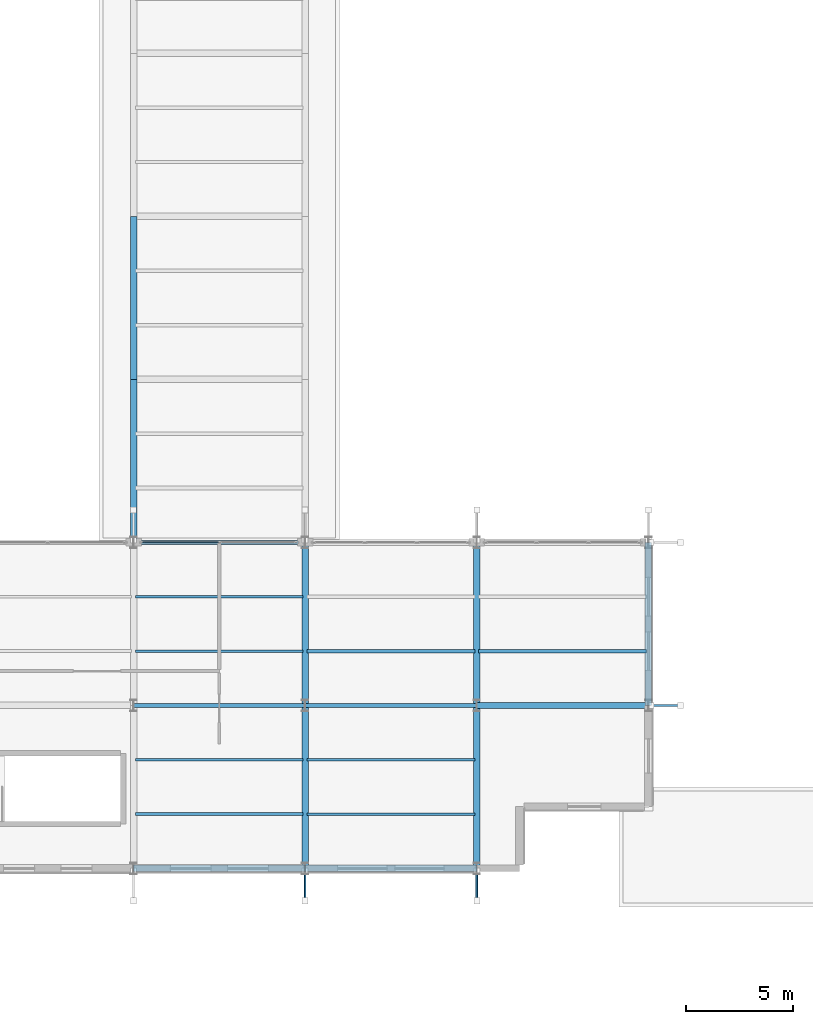
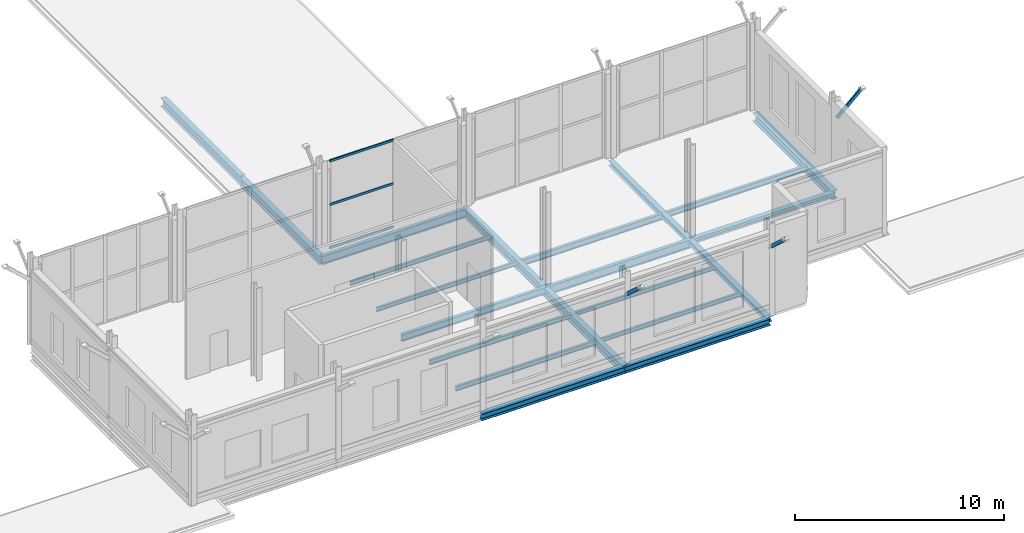
# One storey, part 29 of 147: 21 beams, 6 members, 1 element without a shape of its own.
"""IFC4 building model written with IfcOpenShell, lengths in metres."""

from ifc_helpers import new_model, si_unit, direction, frame, origin, origin_2d, place, context, subcontext, project, spatial, hollow_rectangle, i_section, extrude, material, layer, layer_set, material_profile, profile_set, type_object, element, aggregate, save


model = new_model("IFC4")

# Units and contexts
model_context = context("Model", 3, precision=1e-05, world=origin(), true_north=direction((0.0, 1.0)))
body_context = subcontext(model_context, "Body", "Model", "MODEL_VIEW")
ifc_project = project(units=[si_unit("LENGTHUNIT", "METRE"), si_unit("AREAUNIT", "SQUARE_METRE"), si_unit("VOLUMEUNIT", "CUBIC_METRE"), si_unit("PLANEANGLEUNIT", "RADIAN"), si_unit("MASSUNIT", "GRAM", prefix="KILO")], contexts=[model_context])

# Site, building, storey
site_placement = place(None, origin())
site = spatial("IfcSite", under=ifc_project, at=site_placement, CompositionType="ELEMENT")
building_placement = place(site_placement, origin())
building = spatial("IfcBuilding", under=site, at=building_placement, Name="Vekula Escarpment Museum", CompositionType="ELEMENT")
storey_placement = place(building_placement, frame((0.0, 0.0, 7.800048828125)))
storey = spatial("IfcBuildingStorey", under=building, at=storey_placement, Name="L02", CompositionType="ELEMENT", Elevation=7.800048828125)

# Beams
ifc_material_1 = material(Name="Steel S355", Category="steel")
ifc_material_profile_1 = material_profile(ifc_material_1, i_section(OverallWidth=0.280029296875, OverallDepth=0.280029296875, WebThickness=0.010498046875, FlangeThickness=0.01806640625, FilletRadius=0.02392578125, at=origin_2d()), Name="HEB 280")
ifc_profile_set_1 = profile_set([ifc_material_profile_1], Name="Steel S355")
beam_type_1 = type_object("IfcBeamType", Name="BM-GIRD-HEB280", PredefinedType="BEAM", material=ifc_profile_set_1)
beam_1_placement = place(storey_placement, frame((110.0, 7.60009765625, -0.400146484375), z_axis=(1.0, 0.0, 0.0), x_axis=(0.0, 1.0, 0.0)))
element("IfcBeam", 1, at=beam_1_placement, inside=storey, type_object=beam_type_1, Name="Beam X L02 0807", PredefinedType="BEAM", context=body_context, shape_type="SweptSolid", body=[
    extrude(i_section(OverallWidth=0.280029296875, OverallDepth=0.280029296875, WebThickness=0.010498046875, FlangeThickness=0.01806640625, FilletRadius=0.02392578125, at=origin_2d()), origin(), (0.0, 0.0, 1.0), 8.0),
])
ifc_material_2 = material(Name="Steel S355", Category="steel")
ifc_material_profile_2 = material_profile(ifc_material_2, i_section(OverallWidth=0.300048828125, OverallDepth=0.5, WebThickness=0.014404296875, FlangeThickness=0.028076171875, FilletRadius=0.027099609375, at=origin_2d()), Name="HEB 500")
ifc_profile_set_2 = profile_set([ifc_material_profile_2], Name="Steel S355")
beam_type_2 = type_object("IfcBeamType", Name="BM-GIRD-HEB500", PredefinedType="BEAM", material=ifc_profile_set_2)
beam_2_placement = place(storey_placement, frame((94.0, 15.199951171875, -0.510009765625), z_axis=(0.0, 1.0, 0.0), x_axis=(-1.0, 0.0, 0.0)))
element("IfcBeam", 2, at=beam_2_placement, inside=storey, type_object=beam_type_2, Name="Beam Y L02 1154", PredefinedType="BEAM", context=body_context, shape_type="SweptSolid", body=[
    extrude(i_section(OverallWidth=0.300048828125, OverallDepth=0.5, WebThickness=0.014404296875, FlangeThickness=0.028076171875, FilletRadius=0.027099609375, at=origin_2d()), origin(), (0.0, 0.0, 1.0), 7.60009765625),
])
beam_3_placement = place(storey_placement, frame((94.0, 22.800048828125, -0.449951171875), z_axis=(0.0, 1.0, 0.0), x_axis=(-1.0, 0.0, 0.0)))
element("IfcBeam", 3, at=beam_3_placement, inside=storey, type_object=beam_type_2, Name="Beam Y L02 1155", PredefinedType="BEAM", context=body_context, shape_type="SweptSolid", body=[
    extrude(i_section(OverallWidth=0.300048828125, OverallDepth=0.5, WebThickness=0.014404296875, FlangeThickness=0.028076171875, FilletRadius=0.027099609375, at=origin_2d()), origin(), (0.0, 0.0, 1.0), 7.599853515625),
])
beam_4_placement = place(storey_placement, frame((102.0, 0.0, -0.510009765625), z_axis=(0.0, 1.0, 0.0), x_axis=(-1.0, 0.0, 0.0)))
element("IfcBeam", 4, at=beam_4_placement, inside=storey, type_object=beam_type_2, Name="Beam Y L02 1168", PredefinedType="BEAM", context=body_context, shape_type="SweptSolid", body=[
    extrude(i_section(OverallWidth=0.300048828125, OverallDepth=0.5, WebThickness=0.014404296875, FlangeThickness=0.028076171875, FilletRadius=0.027099609375, at=origin_2d()), origin(), (0.0, 0.0, 1.0), 7.60009765625),
])
for number, where, z_axis, x_axis, name in (
    (5, (102.0, 7.60009765625, -0.510009765625), (0.0, 1.0, 0.0), (-1.0, 0.0, 0.0), "Beam Y L02 1169"),
    (6, (118.0, 7.60009765625, -0.510009765625), (0.0, 1.0, 0.0), (-1.0, 0.0, 0.0), "Beam Y L02 1194"),
):
    element("IfcBeam", number, at=place(storey_placement, frame(where, z_axis=z_axis, x_axis=x_axis)), inside=storey, type_object=beam_type_2, Name=name, PredefinedType="BEAM", context=body_context, shape_type="SweptSolid", body=[
        extrude(i_section(OverallWidth=0.300048828125, OverallDepth=0.5, WebThickness=0.014404296875, FlangeThickness=0.028076171875, FilletRadius=0.027099609375, at=origin_2d()), origin(), (0.0, 0.0, 1.0), 7.599853515625),
    ])
ifc_material_3 = material(Name="Steel S355", Category="steel")
ifc_material_profile_3 = material_profile(ifc_material_3, i_section(OverallWidth=0.179931640625, OverallDepth=0.39990234375, WebThickness=0.008544921875, FlangeThickness=0.013427734375, FilletRadius=0.02099609375, at=origin_2d()), Name="IPE 400")
ifc_profile_set_3 = profile_set([ifc_material_profile_3], Name="Steel S355")
beam_type_3 = type_object("IfcBeamType", Name="BM-GIRD-IPE400", PredefinedType="BEAM", material=ifc_profile_set_3)
beam_5_placement = place(storey_placement, frame((94.0, 7.60009765625, -0.4599609375), z_axis=(1.0, 0.0, 0.0), x_axis=(0.0, 1.0, 0.0)))
element("IfcBeam", 7, at=beam_5_placement, inside=storey, type_object=beam_type_3, Name="Beam X L02 0805", PredefinedType="BEAM", context=body_context, shape_type="SweptSolid", body=[
    extrude(i_section(OverallWidth=0.179931640625, OverallDepth=0.39990234375, WebThickness=0.008544921875, FlangeThickness=0.013427734375, FilletRadius=0.02099609375, at=origin_2d()), origin(), (0.0, 0.0, 1.0), 8.0),
])
ifc_material_4 = material(Name="Steel S355", Category="steel")
ifc_material_profile_4 = material_profile(ifc_material_4, i_section(OverallWidth=0.199951171875, OverallDepth=0.5, WebThickness=0.01025390625, FlangeThickness=0.01611328125, FilletRadius=0.02099609375, at=origin_2d()), Name="IPE 500")
ifc_profile_set_4 = profile_set([ifc_material_profile_4], Name="Steel S355")
beam_type_4 = type_object("IfcBeamType", Name="BM-GIRD-IPE500", PredefinedType="BEAM", material=ifc_profile_set_4)
for number, where, z_axis, x_axis, name in (
    (8, (102.0, 7.60009765625, -0.510009765625), (1.0, 0.0, 0.0), (0.0, 1.0, 0.0), "Beam X L02 0806"),
    (9, (94.0, 15.199951171875, -0.510009765625), (1.0, 0.0, 0.0), (0.0, 1.0, 0.0), "Beam X L02 0819"),
):
    element("IfcBeam", number, at=place(storey_placement, frame(where, z_axis=z_axis, x_axis=x_axis)), inside=storey, type_object=beam_type_4, Name=name, PredefinedType="BEAM", context=body_context, shape_type="SweptSolid", body=[
        extrude(i_section(OverallWidth=0.199951171875, OverallDepth=0.5, WebThickness=0.01025390625, FlangeThickness=0.01611328125, FilletRadius=0.02099609375, at=origin_2d()), origin(), (0.0, 0.0, 1.0), 8.0),
    ])
ifc_material_5 = material(Name="Steel S355", Category="steel")
ifc_material_profile_5 = material_profile(ifc_material_5, i_section(OverallWidth=0.1201171875, OverallDepth=0.239990234375, WebThickness=0.006103515625, FlangeThickness=0.009765625, FilletRadius=0.014892578125, at=origin_2d()), Name="IPE 240")
ifc_profile_set_5 = profile_set([ifc_material_profile_5], Name="Steel S355")
beam_type_5 = type_object("IfcBeamType", Name="BM-JST-IPE240", PredefinedType="JOIST", material=ifc_profile_set_5)
for number, where, z_axis, x_axis, name in (
    (10, (94.090087890625, 10.13330078125, -0.380126953125), (1.0, 0.0, 0.0), (0.0, 1.0, 0.0), "Secondary Joist L02 0766"),
    (11, (94.090087890625, 12.666748046875, -0.380126953125), (1.0, 0.0, 0.0), (0.0, 1.0, 0.0), "Secondary Joist L02 0767"),
    (12, (102.090087890625, 2.533203125, -0.380126953125), (1.0, 0.0, 0.0), (0.0, 1.0, 0.0), "Secondary Joist L02 0792"),
    (13, (102.090087890625, 5.066650390625, -0.380126953125), (1.0, 0.0, 0.0), (0.0, 1.0, 0.0), "Secondary Joist L02 0793"),
):
    element("IfcBeam", number, at=place(storey_placement, frame(where, z_axis=z_axis, x_axis=x_axis)), inside=storey, type_object=beam_type_5, Name=name, PredefinedType="JOIST", context=body_context, shape_type="SweptSolid", body=[
        extrude(i_section(OverallWidth=0.1201171875, OverallDepth=0.239990234375, WebThickness=0.006103515625, FlangeThickness=0.009765625, FilletRadius=0.014892578125, at=origin_2d()), origin(), (0.0, 0.0, 1.0), 7.81982421875),
    ])
ifc_material_6 = material(Name="Steel S355", Category="steel")
ifc_material_profile_6 = material_profile(ifc_material_6, i_section(OverallWidth=0.135009765625, OverallDepth=0.27001953125, WebThickness=0.006591796875, FlangeThickness=0.01025390625, FilletRadius=0.014892578125, at=origin_2d()), Name="IPE 270")
ifc_profile_set_6 = profile_set([ifc_material_profile_6], Name="Steel S355")
beam_type_6 = type_object("IfcBeamType", Name="BM-JST-IPE270", PredefinedType="JOIST", material=ifc_profile_set_6)
for number, where, z_axis, x_axis, name in (
    (14, (94.090087890625, 2.533203125, -0.39501953125), (1.0, 0.0, 0.0), (0.0, 1.0, 0.0), "Secondary Joist L02 0764"),
    (15, (94.090087890625, 5.066650390625, -0.39501953125), (1.0, 0.0, 0.0), (0.0, 1.0, 0.0), "Secondary Joist L02 0765"),
):
    element("IfcBeam", number, at=place(storey_placement, frame(where, z_axis=z_axis, x_axis=x_axis)), inside=storey, type_object=beam_type_6, Name=name, PredefinedType="JOIST", context=body_context, shape_type="SweptSolid", body=[
        extrude(i_section(OverallWidth=0.135009765625, OverallDepth=0.27001953125, WebThickness=0.006591796875, FlangeThickness=0.01025390625, FilletRadius=0.014892578125, at=origin_2d()), origin(), (0.0, 0.0, 1.0), 7.81982421875),
    ])
ifc_material_7 = material(Name="Steel S355", Category="steel")
ifc_material_profile_7 = material_profile(ifc_material_7, i_section(OverallWidth=0.159912109375, OverallDepth=0.330078125, WebThickness=0.007568359375, FlangeThickness=0.011474609375, FilletRadius=0.01806640625, at=origin_2d()), Name="IPE 330")
ifc_profile_set_7 = profile_set([ifc_material_profile_7], Name="Steel S355")
beam_type_7 = type_object("IfcBeamType", Name="BM-JST-IPE330", PredefinedType="JOIST", material=ifc_profile_set_7)
beam_6_placement = place(storey_placement, frame((110.090087890625, 10.13330078125, -0.425048828125), z_axis=(1.0, 0.0, 0.0), x_axis=(0.0, 1.0, 0.0)))
element("IfcBeam", 16, at=beam_6_placement, inside=storey, type_object=beam_type_7, Name="Secondary Joist L02 0804", PredefinedType="JOIST", context=body_context, shape_type="SweptSolid", body=[
    extrude(i_section(OverallWidth=0.159912109375, OverallDepth=0.330078125, WebThickness=0.007568359375, FlangeThickness=0.011474609375, FilletRadius=0.01806640625, at=origin_2d()), origin(), (0.0, 0.0, 1.0), 7.81982421875),
])
ifc_material_8 = material(Name="Steel S355", Category="steel")
ifc_material_profile_8 = material_profile(ifc_material_8, i_section(OverallWidth=0.169921875, OverallDepth=0.360107421875, WebThickness=0.008056640625, FlangeThickness=0.0126953125, FilletRadius=0.01806640625, at=origin_2d()), Name="IPE 360")
ifc_profile_set_8 = profile_set([ifc_material_profile_8], Name="Steel S355")
beam_type_8 = type_object("IfcBeamType", Name="BM-JST-IPE360", PredefinedType="JOIST", material=ifc_profile_set_8)
beam_7_placement = place(storey_placement, frame((102.090087890625, 10.13330078125, -0.43994140625), z_axis=(1.0, 0.0, 0.0), x_axis=(0.0, 1.0, 0.0)))
element("IfcBeam", 17, at=beam_7_placement, inside=storey, type_object=beam_type_8, Name="Secondary Joist L02 0794", PredefinedType="JOIST", context=body_context, shape_type="SweptSolid", body=[
    extrude(i_section(OverallWidth=0.169921875, OverallDepth=0.360107421875, WebThickness=0.008056640625, FlangeThickness=0.0126953125, FilletRadius=0.01806640625, at=origin_2d()), origin(), (0.0, 0.0, 1.0), 7.81982421875),
])
ifc_material_9 = material(Name="Steel S355", Category="steel")
ifc_material_profile_9 = material_profile(ifc_material_9, i_section(OverallWidth=0.300048828125, OverallDepth=0.2900390625, WebThickness=0.008544921875, FlangeThickness=0.013916015625, FilletRadius=0.027099609375, at=origin_2d()), Name="HEA 300")
ifc_profile_set_9 = profile_set([ifc_material_profile_9], Name="Steel S355")
beam_type_9 = type_object("IfcBeamType", Name="BM-SPAN-HEA300", PredefinedType="SPANDREL", material=ifc_profile_set_9)
beam_8_placement = place(storey_placement, frame((110.0, 0.0, -0.405029296875), z_axis=(0.0, 1.0, 0.0), x_axis=(-1.0, 0.0, 0.0)))
element("IfcBeam", 18, at=beam_8_placement, inside=storey, type_object=beam_type_9, Name="Beam Y L02 1184", PredefinedType="SPANDREL", context=body_context, shape_type="SweptSolid", body=[
    extrude(i_section(OverallWidth=0.300048828125, OverallDepth=0.2900390625, WebThickness=0.008544921875, FlangeThickness=0.013916015625, FilletRadius=0.027099609375, at=origin_2d()), origin(), (0.0, 0.0, 1.0), 7.60009765625),
])
beam_9_placement = place(storey_placement, frame((110.0, 7.60009765625, -0.405029296875), z_axis=(0.0, 1.0, 0.0), x_axis=(-1.0, 0.0, 0.0)))
element("IfcBeam", 19, at=beam_9_placement, inside=storey, type_object=beam_type_9, Name="Beam Y L02 1185", PredefinedType="SPANDREL", context=body_context, shape_type="SweptSolid", body=[
    extrude(i_section(OverallWidth=0.300048828125, OverallDepth=0.2900390625, WebThickness=0.008544921875, FlangeThickness=0.013916015625, FilletRadius=0.027099609375, at=origin_2d()), origin(), (0.0, 0.0, 1.0), 7.599853515625),
])
ifc_material_10 = material(Name="Steel S355", Category="steel")
ifc_material_profile_10 = material_profile(ifc_material_10, i_section(OverallWidth=0.300048828125, OverallDepth=0.389892578125, WebThickness=0.010986328125, FlangeThickness=0.01904296875, FilletRadius=0.027099609375, at=origin_2d()), Name="HEA 400")
ifc_profile_set_10 = profile_set([ifc_material_profile_10], Name="Steel S355")
beam_type_10 = type_object("IfcBeamType", Name="BM-SPAN-HEA400", PredefinedType="SPANDREL", material=ifc_profile_set_10)
for number, where, z_axis, x_axis, name in (
    (20, (94.0, 0.0, -0.455078125), (1.0, 0.0, 0.0), (0.0, 1.0, 0.0), "Beam X L02 0793"),
    (21, (102.0, 0.0, -0.455078125), (1.0, 0.0, 0.0), (0.0, 1.0, 0.0), "Beam X L02 0794"),
):
    element("IfcBeam", number, at=place(storey_placement, frame(where, z_axis=z_axis, x_axis=x_axis)), inside=storey, type_object=beam_type_10, Name=name, PredefinedType="SPANDREL", context=body_context, shape_type="SweptSolid", body=[
        extrude(i_section(OverallWidth=0.300048828125, OverallDepth=0.389892578125, WebThickness=0.010986328125, FlangeThickness=0.01904296875, FilletRadius=0.027099609375, at=origin_2d()), origin(), (0.0, 0.0, 1.0), 8.0),
    ])

# Curtain wall, members
ifc_material_11 = material(Name="Aluminium thermally broken framing", Category="aluminium")
ifc_layer = layer(ifc_material_11, 0.179931640625)
ifc_layer_set = layer_set([ifc_layer], Name="Aluminium thermally broken framing")
curtain_wall_type = type_object("IfcCurtainWallType", Name="CW-SYS-07", PredefinedType="NOTDEFINED", material=ifc_layer_set)
curtain_wall_placement = place(storey_placement, origin())
curtain_wall = element("IfcCurtainWall", 22, at=curtain_wall_placement, inside=storey, type_object=curtain_wall_type, Name="Curtain Wall CW-L02-097", PredefinedType="NOTDEFINED")
ifc_material_12 = material(Name="Aluminium anodized transom", Category="aluminium")
ifc_material_profile_11 = material_profile(ifc_material_12, hollow_rectangle(XDim=0.06494140625, YDim=0.139892578125, WallThickness=0.00390625, InnerFilletRadius=0.00390625, OuterFilletRadius=0.008056640625, at=origin_2d()), Name="ALU 140x65x4")
ifc_profile_set_11 = profile_set([ifc_material_profile_11], Name="Aluminium anodized transom")
member_type_1 = type_object("IfcMemberType", Name="CW-TRN-140", PredefinedType="USERDEFINED", material=ifc_profile_set_11)
member_1_placement = place(storey_placement, frame((97.967529296875, 15.199951171875, 0.032470703125), z_axis=(-1.0, 0.0, 0.0), x_axis=(0.0, -1.0, 0.0)))
member_1 = element("IfcMember", 23, at=member_1_placement, type_object=member_type_1, Name="CW-07 transom 2.1", ObjectType="TRANSOM", PredefinedType="USERDEFINED", context=body_context, shape_type="SweptSolid", body=[
    extrude(hollow_rectangle(XDim=0.06494140625, YDim=0.139892578125, WallThickness=0.00390625, InnerFilletRadius=0.00390625, OuterFilletRadius=0.008056640625, at=origin_2d()), origin(), (0.0, 0.0, 1.0), 3.54248046875),
])
member_2_placement = place(storey_placement, frame((97.967529296875, 15.199951171875, 2.574951171875), z_axis=(-1.0, 0.0, 0.0), x_axis=(0.0, -1.0, 0.0)))
member_2 = element("IfcMember", 24, at=member_2_placement, type_object=member_type_1, Name="CW-07 transom 2.2", ObjectType="TRANSOM", PredefinedType="USERDEFINED", context=body_context, shape_type="SweptSolid", body=[
    extrude(hollow_rectangle(XDim=0.06494140625, YDim=0.139892578125, WallThickness=0.00390625, InnerFilletRadius=0.00390625, OuterFilletRadius=0.008056640625, at=origin_2d()), origin(), (0.0, 0.0, 1.0), 3.54248046875),
])
member_3_placement = place(storey_placement, frame((97.967529296875, 15.199951171875, 5.117431640625), z_axis=(-1.0, 0.0, 0.0), x_axis=(0.0, -1.0, 0.0)))
member_3 = element("IfcMember", 25, at=member_3_placement, type_object=member_type_1, Name="CW-07 transom 2.3", ObjectType="TRANSOM", PredefinedType="USERDEFINED", context=body_context, shape_type="SweptSolid", body=[
    extrude(hollow_rectangle(XDim=0.06494140625, YDim=0.139892578125, WallThickness=0.00390625, InnerFilletRadius=0.00390625, OuterFilletRadius=0.008056640625, at=origin_2d()), origin(), (0.0, 0.0, 1.0), 3.54248046875),
])
aggregate(curtain_wall, [member_1, member_2, member_3])

# Members
ifc_material_13 = material(Name="Steel S355", Category="steel")
ifc_material_profile_12 = material_profile(ifc_material_13, hollow_rectangle(XDim=0.10009765625, YDim=0.199951171875, WallThickness=0.008056640625, InnerFilletRadius=0.008056640625, OuterFilletRadius=0.01611328125, at=origin_2d()), Name="RHS 200x100x8")
ifc_profile_set_12 = profile_set([ifc_material_profile_12], Name="Steel S355")
member_type_2 = type_object("IfcMemberType", Name="MB-SACAK-BRK", PredefinedType="STRUT", material=ifc_profile_set_12)
for number, where, z_axis, x_axis, name in (
    (26, (102.0, -0.1201171875, 3.949951171875), (0.0, -0.738454378718, 0.674303441006), (1.0, 0.0, 0.0), "Ottoman Sacak Eave Bracket L03-0064"),
    (27, (110.0, -0.1201171875, 3.949951171875), (0.0, -0.738454378718, 0.674303441006), (1.0, 0.0, 0.0), "Ottoman Sacak Eave Bracket L03-0070"),
    (28, (118.1201171875, 7.60009765625, 3.949951171875), (0.738454378718, 0.0, 0.674303441006), (0.0, 1.0, 0.0), "Ottoman Sacak Eave Bracket L03-0074"),
):
    element("IfcMember", number, at=place(storey_placement, frame(where, z_axis=z_axis, x_axis=x_axis)), inside=storey, type_object=member_type_2, Name=name, PredefinedType="STRUT", context=body_context, shape_type="SweptSolid", body=[
        extrude(hollow_rectangle(XDim=0.10009765625, YDim=0.199951171875, WallThickness=0.008056640625, InnerFilletRadius=0.008056640625, OuterFilletRadius=0.01611328125, at=origin_2d()), origin(), (0.0, 0.0, 1.0), 1.86865234375),
    ])

save(model, "model.ifc")
